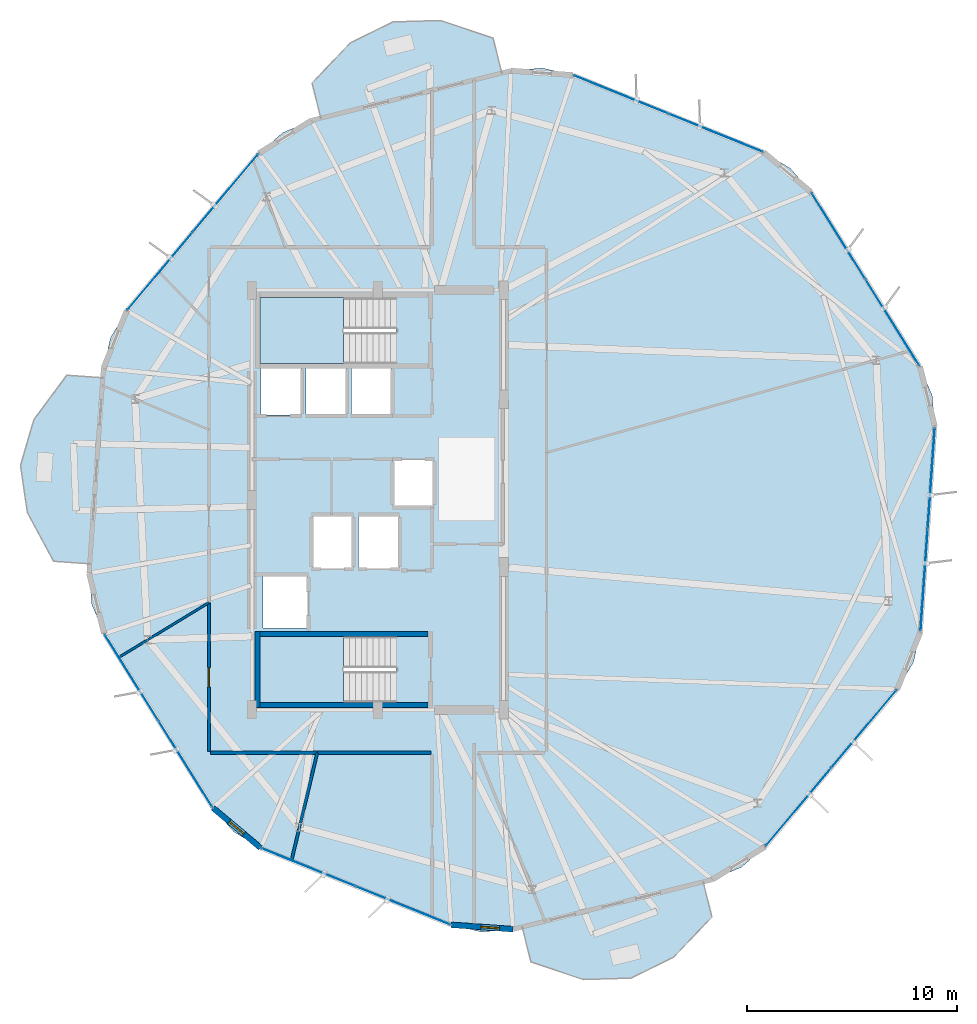
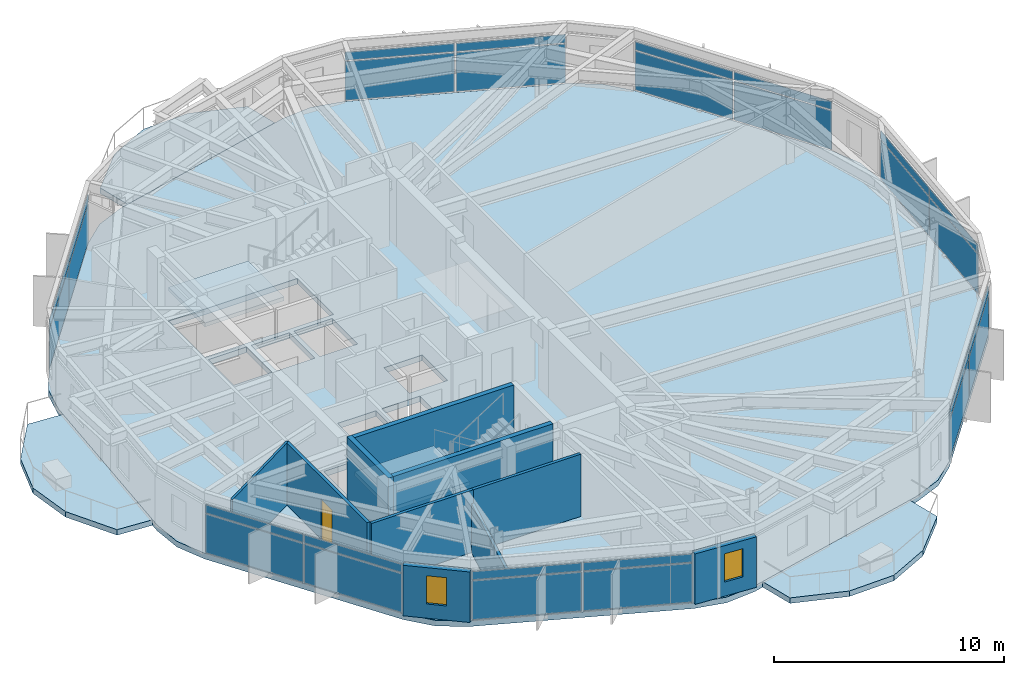
# One storey, part 17 of 23: 28 plates, 10 walls, 6 slabs, 2 windows, 1 door, 3 openings, 9 elements without a shape of their own.
"""IFC4 building model written with IfcOpenShell, lengths in metres."""

from ifc_helpers import new_model, si_unit, direction, frame, frame_2d, origin, origin_2d, place, context, subcontext, project, spatial, polyline, rectangle, outline, extrude, material, layer, layer_set, type_object, element, fill, aggregate, save


model = new_model("IFC4")

# Units and contexts
model_context = context("Model", 3, precision=1e-05, world=origin(), true_north=direction((0.0, 1.0)))
body_context = subcontext(model_context, "Body", "Model", "MODEL_VIEW")
ifc_project = project(units=[si_unit("LENGTHUNIT", "METRE"), si_unit("AREAUNIT", "SQUARE_METRE"), si_unit("VOLUMEUNIT", "CUBIC_METRE"), si_unit("PLANEANGLEUNIT", "RADIAN"), si_unit("MASSUNIT", "GRAM", prefix="KILO")], contexts=[model_context])

# Site, building, storey
site_placement = place(None, origin())
site = spatial("IfcSite", under=ifc_project, at=site_placement, CompositionType="ELEMENT")
building_placement = place(site_placement, origin())
building = spatial("IfcBuilding", under=site, at=building_placement, Name="Soratama Intermodal Tower", CompositionType="ELEMENT")
storey_placement = place(building_placement, frame((0.0, 0.0, 215.800048828125)))
storey = spatial("IfcBuildingStorey", under=building, at=storey_placement, Name="L54", CompositionType="ELEMENT", Elevation=215.800048828125)

# Curtain wall, plates
ifc_material_1 = material(Name="Double-glazed aluminium curtain wall", Category="aluminium")
ifc_layer_1 = layer(ifc_material_1, 0.159912109375)
ifc_layer_set_1 = layer_set([ifc_layer_1], Name="Double-glazed aluminium curtain wall")
curtain_wall_type = type_object("IfcCurtainWallType", Name="CW-SYS-5", PredefinedType="NOTDEFINED", material=ifc_layer_set_1)
curtain_wall_1_placement = place(storey_placement, origin())
curtain_wall_1 = element("IfcCurtainWall", 1, at=curtain_wall_1_placement, inside=storey, type_object=curtain_wall_type, Name="L54 Faceted Curtain Wall F01", PredefinedType="NOTDEFINED")
ifc_material_2 = material(Name="Low-E laminated double glazing", Category="glass")
ifc_layer_2 = layer(ifc_material_2, 0.02001953125)
ifc_layer_set_2 = layer_set([ifc_layer_2], Name="Low-E laminated double glazing")
plate_type = type_object("IfcPlateType", Name="PT-CWP-5", PredefinedType="CURTAIN_PANEL", material=ifc_layer_set_2)
plate_1_placement = place(storey_placement, frame((54.70361328125, 42.504638671875, 0.059814453125), z_axis=(0.0, 0.0, 1.0), x_axis=(-0.927051230519, 0.374934682302, 0.0)))
plate_1 = element("IfcPlate", 2, at=plate_1_placement, type_object=plate_type, Name="CW-5 panel 1.1", PredefinedType="CURTAIN_PANEL", context=body_context, shape_type="SweptSolid", body=[
    extrude(rectangle(XDim=4.80517578125, YDim=0.028076171875, at=origin_2d()), origin(), (0.0, 0.0, 1.0), 2.06005859375),
])
plate_2_placement = place(storey_placement, frame((54.70361328125, 42.504638671875, 2.179931640625), z_axis=(0.0, 0.0, 1.0), x_axis=(-0.927051230519, 0.374934682302, 0.0)))
plate_2 = element("IfcPlate", 3, at=plate_2_placement, type_object=plate_type, Name="CW-5 panel 1.2", PredefinedType="CURTAIN_PANEL", context=body_context, shape_type="SweptSolid", body=[
    extrude(rectangle(XDim=4.80517578125, YDim=0.028076171875, at=origin_2d()), origin(), (0.0, 0.0, 1.0), 0.43896484375),
])
plate_3_placement = place(storey_placement, frame((50.193115234375, 44.328857421875, 0.059814453125), z_axis=(0.0, 0.0, 1.0), x_axis=(-0.927051230519, 0.374934682302, 0.0)))
plate_3 = element("IfcPlate", 4, at=plate_3_placement, type_object=plate_type, Name="CW-5 panel 2.1", PredefinedType="CURTAIN_PANEL", context=body_context, shape_type="SweptSolid", body=[
    extrude(rectangle(XDim=4.80517578125, YDim=0.028076171875, at=origin_2d()), origin(), (0.0, 0.0, 1.0), 2.06005859375),
])
plate_4_placement = place(storey_placement, frame((50.193115234375, 44.328857421875, 2.179931640625), z_axis=(0.0, 0.0, 1.0), x_axis=(-0.927051230519, 0.374934682302, 0.0)))
plate_4 = element("IfcPlate", 5, at=plate_4_placement, type_object=plate_type, Name="CW-5 panel 2.2", PredefinedType="CURTAIN_PANEL", context=body_context, shape_type="SweptSolid", body=[
    extrude(rectangle(XDim=4.80517578125, YDim=0.028076171875, at=origin_2d()), origin(), (0.0, 0.0, 1.0), 0.43896484375),
])
aggregate(curtain_wall_1, [plate_1, plate_2, plate_3, plate_4])

curtain_wall_2_placement = place(storey_placement, origin())
curtain_wall_2 = element("IfcCurtainWall", 6, at=curtain_wall_2_placement, inside=storey, type_object=curtain_wall_type, Name="L54 Faceted Curtain Wall F03", PredefinedType="NOTDEFINED")
plate_5_placement = place(storey_placement, frame((31.3505859375, 39.637939453125, 0.059814453125), z_axis=(0.0, 0.0, 1.0), x_axis=(-0.643051226214, -0.76582316527, 0.0)))
plate_5 = element("IfcPlate", 7, at=plate_5_placement, type_object=plate_type, Name="CW-5 panel 1.1", PredefinedType="CURTAIN_PANEL", context=body_context, shape_type="SweptSolid", body=[
    extrude(rectangle(XDim=4.80517578125, YDim=0.028076171875, at=origin_2d()), origin(), (0.0, 0.0, 1.0), 2.06005859375),
])
plate_6_placement = place(storey_placement, frame((31.3505859375, 39.637939453125, 2.179931640625), z_axis=(0.0, 0.0, 1.0), x_axis=(-0.643051226214, -0.76582316527, 0.0)))
plate_6 = element("IfcPlate", 8, at=plate_6_placement, type_object=plate_type, Name="CW-5 panel 1.2", PredefinedType="CURTAIN_PANEL", context=body_context, shape_type="SweptSolid", body=[
    extrude(rectangle(XDim=4.80517578125, YDim=0.028076171875, at=origin_2d()), origin(), (0.0, 0.0, 1.0), 0.43896484375),
])
plate_7_placement = place(storey_placement, frame((28.221923828125, 35.911865234375, 0.059814453125), z_axis=(0.0, 0.0, 1.0), x_axis=(-0.643051226214, -0.76582316527, 0.0)))
plate_7 = element("IfcPlate", 9, at=plate_7_placement, type_object=plate_type, Name="CW-5 panel 2.1", PredefinedType="CURTAIN_PANEL", context=body_context, shape_type="SweptSolid", body=[
    extrude(rectangle(XDim=4.80517578125, YDim=0.028076171875, at=origin_2d()), origin(), (0.0, 0.0, 1.0), 2.06005859375),
])
plate_8_placement = place(storey_placement, frame((28.221923828125, 35.911865234375, 2.179931640625), z_axis=(0.0, 0.0, 1.0), x_axis=(-0.643051226214, -0.76582316527, 0.0)))
plate_8 = element("IfcPlate", 10, at=plate_8_placement, type_object=plate_type, Name="CW-5 panel 2.2", PredefinedType="CURTAIN_PANEL", context=body_context, shape_type="SweptSolid", body=[
    extrude(rectangle(XDim=4.80517578125, YDim=0.028076171875, at=origin_2d()), origin(), (0.0, 0.0, 1.0), 0.43896484375),
])
aggregate(curtain_wall_2, [plate_5, plate_6, plate_7, plate_8])

curtain_wall_3_placement = place(storey_placement, origin())
curtain_wall_3 = element("IfcCurtainWall", 11, at=curtain_wall_3_placement, inside=storey, type_object=curtain_wall_type, Name="L54 Faceted Curtain Wall F05", PredefinedType="NOTDEFINED")
plate_9_placement = place(storey_placement, frame((26.860595703125, 16.5419921875, 0.059814453125), z_axis=(0.0, 0.0, 1.0), x_axis=(0.529626135466, -0.848231192913, 0.0)))
plate_9 = element("IfcPlate", 12, at=plate_9_placement, type_object=plate_type, Name="CW-5 panel 1.1", PredefinedType="CURTAIN_PANEL", context=body_context, shape_type="SweptSolid", body=[
    extrude(rectangle(XDim=4.80517578125, YDim=0.028076171875, at=origin_2d()), origin(), (0.0, 0.0, 1.0), 2.06005859375),
])
plate_10_placement = place(storey_placement, frame((26.860595703125, 16.5419921875, 2.179931640625), z_axis=(0.0, 0.0, 1.0), x_axis=(0.529626135466, -0.848231192913, 0.0)))
plate_10 = element("IfcPlate", 13, at=plate_10_placement, type_object=plate_type, Name="CW-5 panel 1.2", PredefinedType="CURTAIN_PANEL", context=body_context, shape_type="SweptSolid", body=[
    extrude(rectangle(XDim=4.80517578125, YDim=0.028076171875, at=origin_2d()), origin(), (0.0, 0.0, 1.0), 0.43896484375),
])
plate_11_placement = place(storey_placement, frame((29.4375, 12.4150390625, 0.059814453125), z_axis=(0.0, 0.0, 1.0), x_axis=(0.529626135466, -0.848231192913, 0.0)))
plate_11 = element("IfcPlate", 14, at=plate_11_placement, type_object=plate_type, Name="CW-5 panel 2.1", PredefinedType="CURTAIN_PANEL", context=body_context, shape_type="SweptSolid", body=[
    extrude(rectangle(XDim=4.80517578125, YDim=0.028076171875, at=origin_2d()), origin(), (0.0, 0.0, 1.0), 2.06005859375),
])
plate_12_placement = place(storey_placement, frame((29.4375, 12.4150390625, 2.179931640625), z_axis=(0.0, 0.0, 1.0), x_axis=(0.529626135466, -0.848231192913, 0.0)))
plate_12 = element("IfcPlate", 15, at=plate_12_placement, type_object=plate_type, Name="CW-5 panel 2.2", PredefinedType="CURTAIN_PANEL", context=body_context, shape_type="SweptSolid", body=[
    extrude(rectangle(XDim=4.80517578125, YDim=0.028076171875, at=origin_2d()), origin(), (0.0, 0.0, 1.0), 0.43896484375),
])
aggregate(curtain_wall_3, [plate_9, plate_10, plate_11, plate_12])

curtain_wall_4_placement = place(storey_placement, origin())
curtain_wall_4 = element("IfcCurtainWall", 16, at=curtain_wall_4_placement, inside=storey, type_object=curtain_wall_type, Name="L54 Faceted Curtain Wall F06", PredefinedType="NOTDEFINED")
plate_13_placement = place(storey_placement, frame((35.29638671875, 7.495361328125, 0.059814453125), z_axis=(0.0, 0.0, 1.0), x_axis=(0.927051230519, -0.374934682302, 0.0)))
plate_13 = element("IfcPlate", 17, at=plate_13_placement, type_object=plate_type, Name="CW-5 panel 1.1", PredefinedType="CURTAIN_PANEL", context=body_context, shape_type="SweptSolid", body=[
    extrude(rectangle(XDim=4.80517578125, YDim=0.028076171875, at=origin_2d()), origin(), (0.0, 0.0, 1.0), 2.06005859375),
])
plate_14_placement = place(storey_placement, frame((35.29638671875, 7.495361328125, 2.179931640625), z_axis=(0.0, 0.0, 1.0), x_axis=(0.927051230519, -0.374934682302, 0.0)))
plate_14 = element("IfcPlate", 18, at=plate_14_placement, type_object=plate_type, Name="CW-5 panel 1.2", PredefinedType="CURTAIN_PANEL", context=body_context, shape_type="SweptSolid", body=[
    extrude(rectangle(XDim=4.80517578125, YDim=0.028076171875, at=origin_2d()), origin(), (0.0, 0.0, 1.0), 0.43896484375),
])
plate_15_placement = place(storey_placement, frame((39.806884765625, 5.671142578125, 0.059814453125), z_axis=(0.0, 0.0, 1.0), x_axis=(0.927051230519, -0.374934682302, 0.0)))
plate_15 = element("IfcPlate", 19, at=plate_15_placement, type_object=plate_type, Name="CW-5 panel 2.1", PredefinedType="CURTAIN_PANEL", context=body_context, shape_type="SweptSolid", body=[
    extrude(rectangle(XDim=4.80517578125, YDim=0.028076171875, at=origin_2d()), origin(), (0.0, 0.0, 1.0), 2.06005859375),
])
plate_16_placement = place(storey_placement, frame((39.806884765625, 5.671142578125, 2.179931640625), z_axis=(0.0, 0.0, 1.0), x_axis=(0.927051230519, -0.374934682302, 0.0)))
plate_16 = element("IfcPlate", 20, at=plate_16_placement, type_object=plate_type, Name="CW-5 panel 2.2", PredefinedType="CURTAIN_PANEL", context=body_context, shape_type="SweptSolid", body=[
    extrude(rectangle(XDim=4.80517578125, YDim=0.028076171875, at=origin_2d()), origin(), (0.0, 0.0, 1.0), 0.43896484375),
])
aggregate(curtain_wall_4, [plate_13, plate_14, plate_15, plate_16])

curtain_wall_5_placement = place(storey_placement, origin())
curtain_wall_5 = element("IfcCurtainWall", 21, at=curtain_wall_5_placement, inside=storey, type_object=curtain_wall_type, Name="L54 Faceted Curtain Wall F08", PredefinedType="NOTDEFINED")
plate_17_placement = place(storey_placement, frame((58.6494140625, 10.362060546875, 0.059814453125), z_axis=(0.0, 0.0, 1.0), x_axis=(0.643051226214, 0.76582316527, 0.0)))
plate_17 = element("IfcPlate", 22, at=plate_17_placement, type_object=plate_type, Name="CW-5 panel 1.1", PredefinedType="CURTAIN_PANEL", context=body_context, shape_type="SweptSolid", body=[
    extrude(rectangle(XDim=4.80517578125, YDim=0.028076171875, at=origin_2d()), origin(), (0.0, 0.0, 1.0), 2.06005859375),
])
plate_18_placement = place(storey_placement, frame((58.6494140625, 10.362060546875, 2.179931640625), z_axis=(0.0, 0.0, 1.0), x_axis=(0.643051226214, 0.76582316527, 0.0)))
plate_18 = element("IfcPlate", 23, at=plate_18_placement, type_object=plate_type, Name="CW-5 panel 1.2", PredefinedType="CURTAIN_PANEL", context=body_context, shape_type="SweptSolid", body=[
    extrude(rectangle(XDim=4.80517578125, YDim=0.028076171875, at=origin_2d()), origin(), (0.0, 0.0, 1.0), 0.43896484375),
])
plate_19_placement = place(storey_placement, frame((61.778076171875, 14.088134765625, 0.059814453125), z_axis=(0.0, 0.0, 1.0), x_axis=(0.643051226214, 0.76582316527, 0.0)))
plate_19 = element("IfcPlate", 24, at=plate_19_placement, type_object=plate_type, Name="CW-5 panel 2.1", PredefinedType="CURTAIN_PANEL", context=body_context, shape_type="SweptSolid", body=[
    extrude(rectangle(XDim=4.80517578125, YDim=0.028076171875, at=origin_2d()), origin(), (0.0, 0.0, 1.0), 2.06005859375),
])
plate_20_placement = place(storey_placement, frame((61.778076171875, 14.088134765625, 2.179931640625), z_axis=(0.0, 0.0, 1.0), x_axis=(0.643051226214, 0.76582316527, 0.0)))
plate_20 = element("IfcPlate", 25, at=plate_20_placement, type_object=plate_type, Name="CW-5 panel 2.2", PredefinedType="CURTAIN_PANEL", context=body_context, shape_type="SweptSolid", body=[
    extrude(rectangle(XDim=4.80517578125, YDim=0.028076171875, at=origin_2d()), origin(), (0.0, 0.0, 1.0), 0.43896484375),
])
aggregate(curtain_wall_5, [plate_17, plate_18, plate_19, plate_20])

curtain_wall_6_placement = place(storey_placement, origin())
curtain_wall_6 = element("IfcCurtainWall", 26, at=curtain_wall_6_placement, inside=storey, type_object=curtain_wall_type, Name="L54 Faceted Curtain Wall F09", PredefinedType="NOTDEFINED")
plate_21_placement = place(storey_placement, frame((64.646484375, 21.1806640625, 0.059814453125), z_axis=(0.0, 0.0, 1.0), x_axis=(0.070108843405, 0.997539347633, 0.0)))
plate_21 = element("IfcPlate", 27, at=plate_21_placement, type_object=plate_type, Name="CW-5 panel 1.1", PredefinedType="CURTAIN_PANEL", context=body_context, shape_type="SweptSolid", body=[
    extrude(rectangle(XDim=4.80517578125, YDim=0.028076171875, at=origin_2d()), origin(), (0.0, 0.0, 1.0), 2.06005859375),
])
plate_22_placement = place(storey_placement, frame((64.646484375, 21.1806640625, 2.179931640625), z_axis=(0.0, 0.0, 1.0), x_axis=(0.070108843405, 0.997539347633, 0.0)))
plate_22 = element("IfcPlate", 28, at=plate_22_placement, type_object=plate_type, Name="CW-5 panel 1.2", PredefinedType="CURTAIN_PANEL", context=body_context, shape_type="SweptSolid", body=[
    extrude(rectangle(XDim=4.80517578125, YDim=0.028076171875, at=origin_2d()), origin(), (0.0, 0.0, 1.0), 0.43896484375),
])
plate_23_placement = place(storey_placement, frame((64.987548828125, 26.033935546875, 0.059814453125), z_axis=(0.0, 0.0, 1.0), x_axis=(0.070108843405, 0.997539347633, 0.0)))
plate_23 = element("IfcPlate", 29, at=plate_23_placement, type_object=plate_type, Name="CW-5 panel 2.1", PredefinedType="CURTAIN_PANEL", context=body_context, shape_type="SweptSolid", body=[
    extrude(rectangle(XDim=4.80517578125, YDim=0.028076171875, at=origin_2d()), origin(), (0.0, 0.0, 1.0), 2.06005859375),
])
plate_24_placement = place(storey_placement, frame((64.987548828125, 26.033935546875, 2.179931640625), z_axis=(0.0, 0.0, 1.0), x_axis=(0.070108843405, 0.997539347633, 0.0)))
plate_24 = element("IfcPlate", 30, at=plate_24_placement, type_object=plate_type, Name="CW-5 panel 2.2", PredefinedType="CURTAIN_PANEL", context=body_context, shape_type="SweptSolid", body=[
    extrude(rectangle(XDim=4.80517578125, YDim=0.028076171875, at=origin_2d()), origin(), (0.0, 0.0, 1.0), 0.43896484375),
])
aggregate(curtain_wall_6, [plate_21, plate_22, plate_23, plate_24])

curtain_wall_7_placement = place(storey_placement, origin())
curtain_wall_7 = element("IfcCurtainWall", 31, at=curtain_wall_7_placement, inside=storey, type_object=curtain_wall_type, Name="L54 Faceted Curtain Wall F10", PredefinedType="NOTDEFINED")
plate_25_placement = place(storey_placement, frame((63.139404296875, 33.4580078125, 0.059814453125), z_axis=(0.0, 0.0, 1.0), x_axis=(-0.529626135466, 0.848231192913, 0.0)))
plate_25 = element("IfcPlate", 32, at=plate_25_placement, type_object=plate_type, Name="CW-5 panel 1.1", PredefinedType="CURTAIN_PANEL", context=body_context, shape_type="SweptSolid", body=[
    extrude(rectangle(XDim=4.80517578125, YDim=0.028076171875, at=origin_2d()), origin(), (0.0, 0.0, 1.0), 2.06005859375),
])
plate_26_placement = place(storey_placement, frame((63.139404296875, 33.4580078125, 2.179931640625), z_axis=(0.0, 0.0, 1.0), x_axis=(-0.529626135466, 0.848231192913, 0.0)))
plate_26 = element("IfcPlate", 33, at=plate_26_placement, type_object=plate_type, Name="CW-5 panel 1.2", PredefinedType="CURTAIN_PANEL", context=body_context, shape_type="SweptSolid", body=[
    extrude(rectangle(XDim=4.80517578125, YDim=0.028076171875, at=origin_2d()), origin(), (0.0, 0.0, 1.0), 0.43896484375),
])
plate_27_placement = place(storey_placement, frame((60.5625, 37.5849609375, 0.059814453125), z_axis=(0.0, 0.0, 1.0), x_axis=(-0.529626135466, 0.848231192913, 0.0)))
plate_27 = element("IfcPlate", 34, at=plate_27_placement, type_object=plate_type, Name="CW-5 panel 2.1", PredefinedType="CURTAIN_PANEL", context=body_context, shape_type="SweptSolid", body=[
    extrude(rectangle(XDim=4.80517578125, YDim=0.028076171875, at=origin_2d()), origin(), (0.0, 0.0, 1.0), 2.06005859375),
])
plate_28_placement = place(storey_placement, frame((60.5625, 37.5849609375, 2.179931640625), z_axis=(0.0, 0.0, 1.0), x_axis=(-0.529626135466, 0.848231192913, 0.0)))
plate_28 = element("IfcPlate", 35, at=plate_28_placement, type_object=plate_type, Name="CW-5 panel 2.2", PredefinedType="CURTAIN_PANEL", context=body_context, shape_type="SweptSolid", body=[
    extrude(rectangle(XDim=4.80517578125, YDim=0.028076171875, at=origin_2d()), origin(), (0.0, 0.0, 1.0), 0.43896484375),
])
aggregate(curtain_wall_7, [plate_25, plate_26, plate_27, plate_28])

# Slabs
ifc_material_3 = material(Name="Concrete f'c 42 MPa", Category="concrete")
ifc_layer_3 = layer(ifc_material_3, 0.2900390625)
ifc_layer_set_3 = layer_set([ifc_layer_3], Name="Concrete f'c 42 MPa")
slab_type_1 = type_object("IfcSlabType", Name="SL-EXT-BAL2", PredefinedType="FLOOR", material=ifc_layer_set_3)
slab_1_placement = place(storey_placement, frame((0.0, 0.0, -0.2900390625)))
element("IfcSlab", 36, at=slab_1_placement, inside=storey, type_object=slab_type_1, Name="L54 Planted Balcony North 1", PredefinedType="FLOOR", context=body_context, shape_type="SweptSolid", body=[
    extrude(outline(polyline([(44.51416015625, 45.351318359375), (35.88720703125, 43.20361328125), (35.4716796875, 44.872802734375), (37.28662109375, 46.782958984375), (39.326171875, 47.790283203125), (41.60009765625, 47.856689453125), (44.0986328125, 47.0205078125), (44.51416015625, 45.351318359375)])), origin(), (0.0, 0.0, 1.0), 0.2900390625),
])
slab_2_placement = place(storey_placement, frame((0.0, 0.0, -0.2900390625)))
element("IfcSlab", 37, at=slab_2_placement, inside=storey, type_object=slab_type_1, Name="L54 Planted Balcony West 2", PredefinedType="FLOOR", context=body_context, shape_type="SweptSolid", body=[
    extrude(outline(polyline([(25.49462890625, 30.826904296875), (24.87109375, 21.95849609375), (23.155517578125, 22.0791015625), (21.899658203125, 24.3955078125), (21.57177734375, 26.646484375), (22.211181640625, 28.82958984375), (23.77880859375, 30.947509765625), (25.49462890625, 30.826904296875)])), origin(), (0.0, 0.0, 1.0), 0.2900390625),
])
slab_3_placement = place(storey_placement, frame((0.0, 0.0, -0.2900390625)))
element("IfcSlab", 38, at=slab_3_placement, inside=storey, type_object=slab_type_1, Name="L54 Planted Balcony South 3", PredefinedType="FLOOR", context=body_context, shape_type="SweptSolid", body=[
    extrude(outline(polyline([(45.48583984375, 4.648681640625), (54.11279296875, 6.79638671875), (54.5283203125, 5.127197265625), (52.71337890625, 3.217041015625), (50.673828125, 2.209716796875), (48.39990234375, 2.143310546875), (45.9013671875, 2.9794921875), (45.48583984375, 4.648681640625)])), origin(), (0.0, 0.0, 1.0), 0.2900390625),
])

# Stair, slab
ifc_material_4 = material(Name="Concrete f'c 42 MPa", Category="concrete")
stair_type = type_object("IfcStairType", Name="ST-CORE-DOGLEG", PredefinedType="HALF_TURN_STAIR", material=ifc_material_4)
stair_1_placement = place(storey_placement, origin())
stair_1 = element("IfcStair", 39, at=stair_1_placement, inside=storey, type_object=stair_type, Name="L54 ST-1", PredefinedType="HALF_TURN_STAIR")
ifc_material_5 = material(Name="Concrete f'c 42 MPa", Category="concrete")
ifc_layer_4 = layer(ifc_material_5, 0.219970703125)
ifc_layer_set_4 = layer_set([ifc_layer_4], Name="Concrete f'c 42 MPa")
slab_type_2 = type_object("IfcSlabType", Name="SL-STAIR-LAND", PredefinedType="LANDING", material=ifc_layer_set_4)
slab_4_placement = place(storey_placement, frame((0.0, 0.0, 1.599853515625)))
slab_4 = element("IfcSlab", 40, at=slab_4_placement, type_object=slab_type_2, Name="ST-1 landing 1", PredefinedType="LANDING", context=body_context, shape_type="SweptSolid", body=[
    extrude(outline(polyline([(36.97998046875, 18.5), (33.0, 18.5), (33.0, 15.35009765625), (36.97998046875, 15.35009765625), (36.97998046875, 18.5)])), origin(), (0.0, 0.0, 1.0), 0.2001953125),
])
aggregate(stair_1, [slab_4])

stair_2_placement = place(storey_placement, origin())
stair_2 = element("IfcStair", 41, at=stair_2_placement, inside=storey, type_object=stair_type, Name="L54 ST-2", PredefinedType="HALF_TURN_STAIR")
slab_5_placement = place(storey_placement, frame((0.0, 0.0, 1.599853515625)))
slab_5 = element("IfcSlab", 42, at=slab_5_placement, type_object=slab_type_2, Name="ST-2 landing 1", PredefinedType="LANDING", context=body_context, shape_type="SweptSolid", body=[
    extrude(outline(polyline([(36.97998046875, 34.64990234375), (33.0, 34.64990234375), (33.0, 31.5), (36.97998046875, 31.5), (36.97998046875, 34.64990234375)])), origin(), (0.0, 0.0, 1.0), 0.2001953125),
])
aggregate(stair_2, [slab_5])

# Slab
ifc_material_6 = material(Name="Concrete f'c 42 MPa", Category="concrete")
ifc_layer_5 = layer(ifc_material_6, 0.280029296875)
ifc_layer_set_5 = layer_set([ifc_layer_5], Name="Concrete f'c 42 MPa")
slab_type_3 = type_object("IfcSlabType", Name="SL-TWR-280", PredefinedType="FLOOR", material=ifc_layer_set_5)
slab_6_placement = place(storey_placement, frame((0.0, 0.0, -0.300048828125)))
element("IfcSlab", 43, at=slab_6_placement, inside=storey, type_object=slab_type_3, Name="L54 Structural Floor Slab", PredefinedType="FLOOR", context=body_context, shape_type="SweptSolid", body=[
    extrude(outline(polyline([(59.25830078125, 39.673828125), (58.2734375, 40.8076171875), (56.986572265625, 41.581298828125), (47.91015625, 45.252197265625), (46.447021484375, 45.590576171875), (44.950927734375, 45.460205078125), (35.450439453125, 43.094970703125), (34.06787109375, 42.508544921875), (32.93408203125, 41.523681640625), (26.638427734375, 34.02587890625), (25.864501953125, 32.739013671875), (25.526123046875, 31.27587890625), (24.839599609375, 21.509521484375), (24.97021484375, 20.013427734375), (25.556396484375, 18.630859375), (30.74169921875, 10.326171875), (31.7265625, 9.1923828125), (33.013427734375, 8.418701171875), (42.08984375, 4.747802734375), (43.552978515625, 4.409423828125), (45.049072265625, 4.539794921875), (54.549560546875, 6.905029296875), (55.93212890625, 7.491455078125), (57.06591796875, 8.476318359375), (63.361572265625, 15.97412109375), (64.135498046875, 17.260986328125), (64.473876953125, 18.72412109375), (65.160400390625, 28.490478515625), (65.02978515625, 29.986572265625), (64.443603515625, 31.369140625), (59.25830078125, 39.673828125)]), holes=[polyline([(33.0, 18.5), (33.0, 15.35009765625), (39.47509765625, 15.35009765625), (39.47509765625, 18.5), (33.0, 18.5)]), polyline([(35.260009765625, 21.409912109375), (33.139892578125, 21.409912109375), (33.139892578125, 18.889892578125), (35.260009765625, 18.889892578125), (35.260009765625, 21.409912109375)]), polyline([(37.409912109375, 24.260009765625), (35.489990234375, 24.260009765625), (35.489990234375, 21.739990234375), (37.409912109375, 21.739990234375), (37.409912109375, 24.260009765625)]), polyline([(39.610107421875, 24.260009765625), (37.68994140625, 24.260009765625), (37.68994140625, 21.739990234375), (39.610107421875, 21.739990234375), (39.610107421875, 24.260009765625)]), polyline([(41.260009765625, 26.909912109375), (39.340087890625, 26.909912109375), (39.340087890625, 24.68994140625), (41.260009765625, 24.68994140625), (41.260009765625, 26.909912109375)]), polyline([(34.9599609375, 31.260009765625), (33.0400390625, 31.260009765625), (33.0400390625, 29.0400390625), (34.9599609375, 29.0400390625), (34.9599609375, 31.260009765625)]), polyline([(37.110107421875, 31.260009765625), (35.18994140625, 31.260009765625), (35.18994140625, 29.0400390625), (37.110107421875, 29.0400390625), (37.110107421875, 31.260009765625)]), polyline([(39.260009765625, 29.0400390625), (39.260009765625, 31.260009765625), (37.340087890625, 31.260009765625), (37.340087890625, 29.0400390625), (39.260009765625, 29.0400390625)]), polyline([(39.47509765625, 34.64990234375), (33.0, 34.64990234375), (33.0, 31.5), (39.47509765625, 31.5), (39.47509765625, 34.64990234375)])]), origin(), (0.0, 0.0, 1.0), 0.300048828125),
])

# Wall, opening, window
ifc_material_7 = material(Name="Concrete f'c 42 MPa", Category="concrete")
ifc_layer_6 = layer(ifc_material_7, 0.27001953125)
ifc_layer_set_6 = layer_set([ifc_layer_6], Name="Concrete f'c 42 MPa")
wall_type_1 = type_object("IfcWallType", Name="EW-CRN-270", PredefinedType="SOLIDWALL", material=ifc_layer_set_6)
wall_1_placement = place(storey_placement, frame((30.74169921875, 10.326171875, 0.0), z_axis=(0.0, 0.0, 1.0), x_axis=(0.765834558383, -0.643037657673, 0.0)))
wall_1 = element("IfcWall", 44, at=wall_1_placement, inside=storey, type_object=wall_type_1, Name="L54 Corner Closure Wall 05", PredefinedType="SOLIDWALL", context=body_context, shape_type="SweptSolid", body=[
    extrude(rectangle(XDim=2.96630859375, YDim=0.27001953125, at=frame_2d((1.483154296875, 0.0))), origin(), (0.0, 0.0, 1.0), 2.678955078125),
])
opening_1_placement = place(wall_1_placement, frame((1.033203125, 0.0, 0.75)))
opening_1 = element("IfcOpeningElement", 45, at=opening_1_placement, cuts=wall_1, Name="Opening WN-6", PredefinedType="OPENING", context=body_context, shape_type="SweptSolid", body=[
    extrude(rectangle(XDim=0.89990234375, YDim=1.5, at=frame_2d((0.449951171875, 0.75))), frame((0.0, 0.14501953125, 0.0), z_axis=(0.0, -1.0, 0.0), x_axis=(1.0, 0.0, 0.0)), (0.0, 0.0, 1.0), 0.2900390625),
])
ifc_material_8 = material(Name="Double-glazed aluminium window", Category="aluminium")
window_type = type_object("IfcWindowType", Name="WN-FAC-900", PartitioningType="SINGLE_PANEL", PredefinedType="WINDOW", material=ifc_material_8)
window_1_placement = place(opening_1_placement, origin())
window_1 = element("IfcWindow", 46, at=window_1_placement, inside=storey, type_object=window_type, Name="L54 Corner Window 05", OverallHeight=1.5, OverallWidth=0.89990234375, PartitioningType="SINGLE_PANEL", PredefinedType="WINDOW", context=body_context, shape_type="SweptSolid", body=[
    extrude(rectangle(XDim=0.89990234375, YDim=1.5, at=frame_2d((0.449951171875, 0.75))), frame((0.0, 0.030029296875, 0.0), z_axis=(0.0, -1.0, 0.0), x_axis=(1.0, 0.0, 0.0)), (0.0, 0.0, 1.0), 0.06005859375),
])
fill(opening_1, window_1)

wall_2_placement = place(storey_placement, frame((42.08984375, 4.747802734375, 0.0), z_axis=(0.0, 0.0, 1.0), x_axis=(0.997538688481, -0.070118221482, 0.0)))
wall_2 = element("IfcWall", 47, at=wall_2_placement, inside=storey, type_object=wall_type_1, Name="L54 Corner Closure Wall 06", PredefinedType="SOLIDWALL", context=body_context, shape_type="SweptSolid", body=[
    extrude(rectangle(XDim=2.966552734375, YDim=0.27001953125, at=frame_2d((1.4833984375, 0.0))), origin(), (0.0, 0.0, 1.0), 2.678955078125),
])
opening_2_placement = place(wall_2_placement, frame((1.422119140625, 0.0, 0.75)))
opening_2 = element("IfcOpeningElement", 48, at=opening_2_placement, cuts=wall_2, Name="Opening WN-6", PredefinedType="OPENING", context=body_context, shape_type="SweptSolid", body=[
    extrude(rectangle(XDim=0.89990234375, YDim=1.5, at=frame_2d((0.449951171875, 0.75))), frame((0.0, 0.14501953125, 0.0), z_axis=(0.0, -1.0, 0.0), x_axis=(1.0, 0.0, 0.0)), (0.0, 0.0, 1.0), 0.2900390625),
])
window_2_placement = place(opening_2_placement, origin())
window_2 = element("IfcWindow", 49, at=window_2_placement, inside=storey, type_object=window_type, Name="L54 Corner Window 06", OverallHeight=1.5, OverallWidth=0.89990234375, PartitioningType="SINGLE_PANEL", PredefinedType="WINDOW", context=body_context, shape_type="SweptSolid", body=[
    extrude(rectangle(XDim=0.89990234375, YDim=1.5, at=frame_2d((0.449951171875, 0.75))), frame((0.0, 0.030029296875, 0.0), z_axis=(0.0, -1.0, 0.0), x_axis=(1.0, 0.0, 0.0)), (0.0, 0.0, 1.0), 0.06005859375),
])
fill(opening_2, window_2)

# Wall, opening, door
ifc_material_9 = material(Name="Fire-rated gypsum stud partition", Category="concrete")
ifc_layer_7 = layer(ifc_material_9, 0.14990234375)
ifc_layer_set_7 = layer_set([ifc_layer_7], Name="Fire-rated gypsum stud partition")
wall_type_2 = type_object("IfcWallType", Name="IW-PART-R150", PredefinedType="PARTITIONING", material=ifc_layer_set_7)
wall_3_placement = place(storey_placement, frame((30.550048828125, 13.02001953125, 0.0), z_axis=(0.0, 0.0, 1.0), x_axis=(0.0, 1.0, 0.0)))
wall_3 = element("IfcWall", 50, at=wall_3_placement, inside=storey, type_object=wall_type_2, Name="L54 Partition W-L54-TP009", PredefinedType="PARTITIONING", context=body_context, shape_type="SweptSolid", body=[
    extrude(rectangle(XDim=7.0859375, YDim=0.14990234375, at=frame_2d((3.54296875, 0.0))), origin(), (0.0, 0.0, 1.0), 3.300048828125),
])
opening_3_placement = place(wall_3_placement, frame((3.068115234375, 0.0, 0.0)))
opening_3 = element("IfcOpeningElement", 51, at=opening_3_placement, cuts=wall_3, Name="Opening ID-6", PredefinedType="OPENING", context=body_context, shape_type="SweptSolid", body=[
    extrude(rectangle(XDim=0.919921875, YDim=2.1201171875, at=frame_2d((0.4599609375, 1.06005859375))), frame((0.0, 0.0849609375, 0.0), z_axis=(0.0, -1.0, 0.0), x_axis=(1.0, 0.0, 0.0)), (0.0, 0.0, 1.0), 0.169921875),
])
ifc_material_10 = material(Name="Solid hardwood acoustic door", Category="wood")
door_type = type_object("IfcDoorType", Name="DR-ROOM-920", OperationType="NOTDEFINED", PredefinedType="DOOR", material=ifc_material_10)
door_placement = place(opening_3_placement, origin())
door = element("IfcDoor", 52, at=door_placement, inside=storey, type_object=door_type, Name="L54 Door D-L54-TP006", OperationType="SINGLE_SWING_LEFT", OverallHeight=2.1201171875, OverallWidth=0.919921875, PredefinedType="DOOR", context=body_context, shape_type="SweptSolid", body=[
    extrude(rectangle(XDim=0.919921875, YDim=2.1201171875, at=frame_2d((0.4599609375, 1.06005859375))), frame((0.0, 0.02490234375, 0.0), z_axis=(0.0, -1.0, 0.0), x_axis=(1.0, 0.0, 0.0)), (0.0, 0.0, 1.0), 0.050048828125),
])
fill(opening_3, door)

# Walls
wall_4_placement = place(storey_placement, frame((41.1298828125, 12.949951171875, 0.0), z_axis=(0.0, 0.0, 1.0), x_axis=(-1.0, 0.0, 0.0)))
element("IfcWall", 53, at=wall_4_placement, inside=storey, type_object=wall_type_2, Name="L54 Partition W-L54-TP013", PredefinedType="PARTITIONING", context=body_context, shape_type="SweptSolid", body=[
    extrude(rectangle(XDim=5.410888671875, YDim=0.14990234375, at=frame_2d((2.70556640625, 0.0))), origin(), (0.0, 0.0, 1.0), 3.300048828125),
])
wall_5_placement = place(storey_placement, frame((35.718994140625, 12.949951171875, 0.0), z_axis=(0.0, 0.0, 1.0), x_axis=(-1.0, 0.0, 0.0)))
element("IfcWall", 54, at=wall_5_placement, inside=storey, type_object=wall_type_2, Name="L54 Partition W-L54-TP015", PredefinedType="PARTITIONING", context=body_context, shape_type="SweptSolid", body=[
    extrude(rectangle(XDim=5.098876953125, YDim=0.14990234375, at=frame_2d((2.54931640625, 0.0))), origin(), (0.0, 0.0, 1.0), 3.300048828125),
])
ifc_material_11 = material(Name="Fire-rated gypsum stud partition", Category="concrete")
ifc_layer_8 = layer(ifc_material_11, 0.110107421875)
ifc_layer_set_8 = layer_set([ifc_layer_8], Name="Fire-rated gypsum stud partition")
wall_type_3 = type_object("IfcWallType", Name="IW-PART-S110", PredefinedType="PARTITIONING", material=ifc_layer_set_8)
wall_6_placement = place(storey_placement, frame((30.550048828125, 20.10595703125, 0.0), z_axis=(0.0, 0.0, 1.0), x_axis=(-0.854516012278, -0.51942505211, 0.0)))
element("IfcWall", 55, at=wall_6_placement, inside=storey, type_object=wall_type_3, Name="L54 Partition W-L54-TP017", PredefinedType="PARTITIONING", context=body_context, shape_type="SweptSolid", body=[
    extrude(rectangle(XDim=5.01708984375, YDim=0.110107421875, at=frame_2d((2.508544921875, 0.0))), origin(), (0.0, 0.0, 1.0), 3.300048828125),
])
ifc_material_12 = material(Name="Fire-rated gypsum stud partition", Category="concrete")
ifc_layer_9 = layer(ifc_material_12, 0.139892578125)
ifc_layer_set_9 = layer_set([ifc_layer_9], Name="Fire-rated gypsum stud partition")
wall_type_4 = type_object("IfcWallType", Name="IW-PART-S140", PredefinedType="PARTITIONING", material=ifc_layer_set_9)
wall_7_placement = place(storey_placement, frame((35.718994140625, 12.949951171875, 0.0), z_axis=(0.0, 0.0, 1.0), x_axis=(-0.232634127557, -0.972564323166, 0.0)))
element("IfcWall", 56, at=wall_7_placement, inside=storey, type_object=wall_type_4, Name="L54 Partition W-L54-TP014", PredefinedType="PARTITIONING", context=body_context, shape_type="SweptSolid", body=[
    extrude(rectangle(XDim=5.274658203125, YDim=0.139892578125, at=frame_2d((2.63720703125, 0.0))), origin(), (0.0, 0.0, 1.0), 2.594970703125),
])
ifc_material_13 = material(Name="Concrete f'c 56 MPa", Category="concrete")
ifc_layer_10 = layer(ifc_material_13, 0.239990234375)
ifc_layer_set_10 = layer_set([ifc_layer_10], Name="Concrete f'c 56 MPa")
wall_type_5 = type_object("IfcWallType", Name="SW-STAIR-240", PredefinedType="SHEAR", material=ifc_layer_set_10)
wall_8_placement = place(storey_placement, frame((32.8798828125, 15.110107421875, 0.0), z_axis=(0.0, 0.0, 1.0), x_axis=(0.0, 1.0, 0.0)))
element("IfcWall", 57, at=wall_8_placement, inside=storey, type_object=wall_type_5, Name="L54 ST-1 Shaft Shear Wall W", PredefinedType="SHEAR", context=body_context, shape_type="SweptSolid", body=[
    extrude(rectangle(XDim=3.6298828125, YDim=0.239990234375, at=frame_2d((1.81494140625, 0.0))), origin(), (0.0, 0.0, 1.0), 3.599853515625),
])
for number, where, z_axis, x_axis, name in (
    (58, (33.0, 15.22998046875, 0.0), (0.0, 0.0, 1.0), (1.0, 0.0, 0.0), "L54 ST-1 Shaft Shear Wall S"),
    (59, (33.0, 18.6201171875, 0.0), (0.0, 0.0, 1.0), (1.0, 0.0, 0.0), "L54 ST-1 Shaft Shear Wall N"),
):
    element("IfcWall", number, at=place(storey_placement, frame(where, z_axis=z_axis, x_axis=x_axis)), inside=storey, type_object=wall_type_5, Name=name, PredefinedType="SHEAR", context=body_context, shape_type="SweptSolid", body=[
        extrude(rectangle(XDim=8.0, YDim=0.239990234375, at=frame_2d((4.0, 0.0))), origin(), (0.0, 0.0, 1.0), 3.599853515625),
    ])

save(model, "model.ifc")
